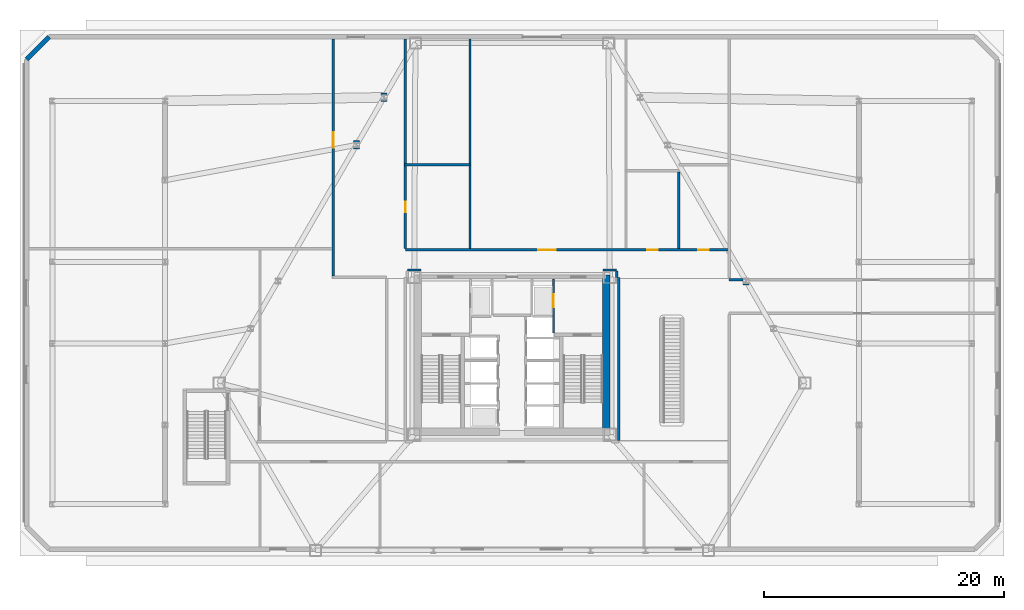
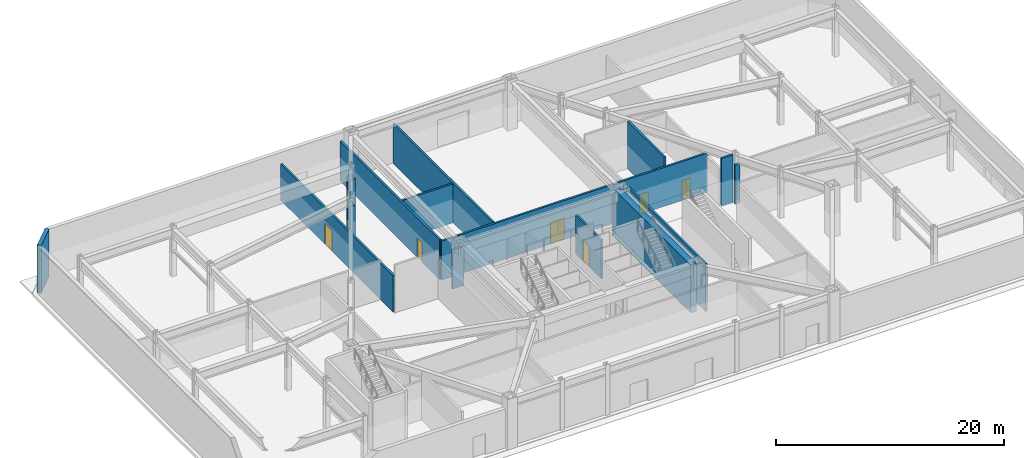
# One storey, part 6 of 12: 19 walls, 6 doors, 6 openings.
"""IFC4 building model written with IfcOpenShell, lengths in metres."""

from ifc_helpers import new_model, si_unit, direction, frame, frame_2d, origin, place, context, subcontext, project, spatial, rectangle, extrude, material, layer, layer_set, type_object, element, fill, save


model = new_model("IFC4")

# Units and contexts
model_context = context("Model", 3, precision=1e-05, world=origin(), true_north=direction((0.0, 1.0)))
body_context = subcontext(model_context, "Body", "Model", "MODEL_VIEW")
ifc_project = project(units=[si_unit("LENGTHUNIT", "METRE"), si_unit("AREAUNIT", "SQUARE_METRE"), si_unit("VOLUMEUNIT", "CUBIC_METRE"), si_unit("PLANEANGLEUNIT", "RADIAN"), si_unit("MASSUNIT", "GRAM", prefix="KILO")], contexts=[model_context])

# Site, building, storey
site_placement = place(None, origin())
site = spatial("IfcSite", under=ifc_project, at=site_placement, CompositionType="ELEMENT")
building_placement = place(site_placement, origin())
building = spatial("IfcBuilding", under=site, at=building_placement, Name="Oramaril Tower", CompositionType="ELEMENT")
storey_placement = place(building_placement, origin())
storey = spatial("IfcBuildingStorey", under=building, at=storey_placement, Name="L00", CompositionType="ELEMENT", Elevation=0.0)

# Walls
ifc_material_1 = material(Name="Warm Cream Limestone", Category="masonry")
ifc_layer_1 = layer(ifc_material_1, 0.3798828125)
ifc_layer_set_1 = layer_set([ifc_layer_1], Name="WT-EXT38")
wall_type_1 = type_object("IfcWallType", Name="WT-EXT38", PredefinedType="SOLIDWALL", material=ifc_layer_set_1)
wall_1_placement = place(storey_placement, frame((-2.949951171875, 42.272216796875, 0.0), z_axis=(0.0, 0.0, 1.0), x_axis=(0.707106781187, 0.707106781187, 0.0)))
element("IfcWall", 1, at=wall_1_placement, inside=storey, type_object=wall_type_1, Name="L00 Limestone Facade Wall EW-6M", PredefinedType="SOLIDWALL", context=body_context, shape_type="SweptSolid", body=[
    extrude(rectangle(XDim=2.655517578125, YDim=0.3798828125, at=frame_2d((1.32763671875, 0.0))), origin(), (0.0, 0.0, 1.0), 5.1201171875),
])
ifc_material_2 = material(Name="Autoclaved Cellular Concrete Block", Category="concrete")
ifc_layer_2 = layer(ifc_material_2, 0.199951171875)
ifc_layer_set_2 = layer_set([ifc_layer_2], Name="WT-PT20")
wall_type_2 = type_object("IfcWallType", Name="WT-PT20", PredefinedType="PARTITIONING", material=ifc_layer_set_2)
wall_2_placement = place(storey_placement, frame((56.749267578125, 23.550048828125, 0.0), z_axis=(0.0, 0.0, 1.0), x_axis=(1.0, 0.0, 0.0)))
element("IfcWall", 2, at=wall_2_placement, inside=storey, type_object=wall_type_2, Name="L00 Interior Partition PT-20", PredefinedType="PARTITIONING", context=body_context, shape_type="SweptSolid", body=[
    extrude(rectangle(XDim=0.5048828125, YDim=0.199951171875, at=frame_2d((0.25244140625, 0.0))), origin(), (0.0, 0.0, 1.0), 4.25390625),
])
wall_3_placement = place(storey_placement, frame((55.60009765625, 23.89990234375, 0.0), z_axis=(0.0, 0.0, 1.0), x_axis=(1.0, 0.0, 0.0)))
element("IfcWall", 3, at=wall_3_placement, inside=storey, type_object=wall_type_2, Name="L00 Interior Partition PT-20", PredefinedType="PARTITIONING", context=body_context, shape_type="SweptSolid", body=[
    extrude(rectangle(XDim=1.149169921875, YDim=0.199951171875, at=frame_2d((0.57470703125, 0.0))), origin(), (0.0, 0.0, 1.0), 5.1201171875),
])
for number, where, z_axis, x_axis, name in (
    (4, (28.780029296875, 24.719970703125, 0.0), (0.0, 0.0, 1.0), (1.0, 0.0, 0.0), "L00 Interior Partition PT-20"),
    (5, (45.080078125, 24.719970703125, 0.0), (0.0, 0.0, 1.0), (1.0, 0.0, 0.0), "L00 Interior Partition PT-20"),
):
    element("IfcWall", number, at=place(storey_placement, frame(where, z_axis=z_axis, x_axis=x_axis)), inside=storey, type_object=wall_type_2, Name=name, PredefinedType="PARTITIONING", context=body_context, shape_type="SweptSolid", body=[
        extrude(rectangle(XDim=1.139892578125, YDim=0.199951171875, at=frame_2d((0.56982421875, 0.0))), origin(), (0.0, 0.0, 1.0), 4.18310546875),
    ])

# Wall, openings, doors
wall_4_placement = place(storey_placement, frame((28.6201171875, 26.39990234375, 0.0), z_axis=(0.0, 0.0, 1.0), x_axis=(1.0, 0.0, 0.0)))
wall_4 = element("IfcWall", 6, at=wall_4_placement, inside=storey, type_object=wall_type_2, Name="L00 Interior Partition PT-20", PredefinedType="PARTITIONING", context=body_context, shape_type="SweptSolid", body=[
    extrude(rectangle(XDim=26.97998046875, YDim=0.199951171875, at=frame_2d((13.489990234375, 0.0))), origin(), (0.0, 0.0, 1.0), 4.18310546875),
])
opening_1_placement = place(wall_4_placement, frame((11.080078125, 0.0, 0.0)))
opening_1 = element("IfcOpeningElement", 7, at=opening_1_placement, cuts=wall_4, Name="Opening D-L00-06", PredefinedType="OPENING", context=body_context, shape_type="SweptSolid", body=[
    extrude(rectangle(XDim=1.449951171875, YDim=2.25, at=frame_2d((0.72509765625, 1.125))), frame((0.0, 0.10009765625, 0.0), z_axis=(0.0, -1.0, 0.0), x_axis=(1.0, 0.0, 0.0)), (0.0, 0.0, 1.0), 0.199951171875),
])
opening_2_placement = place(wall_4_placement, frame((20.139892578125, 0.0, 0.0)))
opening_2 = element("IfcOpeningElement", 8, at=opening_2_placement, cuts=wall_4, Name="Opening D-L00-07", PredefinedType="OPENING", context=body_context, shape_type="SweptSolid", body=[
    extrude(rectangle(XDim=0.8798828125, YDim=2.080078125, at=frame_2d((0.43994140625, 1.0400390625))), frame((0.0, 0.10009765625, 0.0), z_axis=(0.0, -1.0, 0.0), x_axis=(1.0, 0.0, 0.0)), (0.0, 0.0, 1.0), 0.199951171875),
])
opening_3_placement = place(wall_4_placement, frame((24.4140625, 0.0, 0.0)))
opening_3 = element("IfcOpeningElement", 9, at=opening_3_placement, cuts=wall_4, Name="Opening D-L00-08", PredefinedType="OPENING", context=body_context, shape_type="SweptSolid", body=[
    extrude(rectangle(XDim=0.8798828125, YDim=2.080078125, at=frame_2d((0.43994140625, 1.0400390625))), frame((0.0, 0.10009765625, 0.0), z_axis=(0.0, -1.0, 0.0), x_axis=(1.0, 0.0, 0.0)), (0.0, 0.0, 1.0), 0.199951171875),
])
ifc_material_3 = material(Name="FSC Brazilian Freijo Hardwood", Category="wood")
door_type_1 = type_object("IfcDoorType", Name="DT-BATH", OperationType="NOTDEFINED", PredefinedType="DOOR", material=ifc_material_3)
door_1_placement = place(opening_2_placement, origin())
door_1 = element("IfcDoor", 10, at=door_1_placement, inside=storey, type_object=door_type_1, Name="L00 L00 Ground Accessible WC Door D-L00-07", OperationType="SINGLE_SWING_RIGHT", OverallHeight=2.080078125, OverallWidth=0.8798828125, PredefinedType="DOOR", context=body_context, shape_type="SweptSolid", body=[
    extrude(rectangle(XDim=0.8798828125, YDim=2.080078125, at=frame_2d((0.43994140625, 1.0400390625))), frame((0.0, 0.02490234375, 0.0), z_axis=(0.0, -1.0, 0.0), x_axis=(1.0, 0.0, 0.0)), (0.0, 0.0, 1.0), 0.050048828125),
])
fill(opening_2, door_1)
door_2_placement = place(opening_3_placement, origin())
door_2 = element("IfcDoor", 11, at=door_2_placement, inside=storey, type_object=door_type_1, Name="L00 L00 Ground Female WC Door D-L00-08", OperationType="SINGLE_SWING_LEFT", OverallHeight=2.080078125, OverallWidth=0.8798828125, PredefinedType="DOOR", context=body_context, shape_type="SweptSolid", body=[
    extrude(rectangle(XDim=0.8798828125, YDim=2.080078125, at=frame_2d((0.43994140625, 1.0400390625))), frame((0.0, 0.02490234375, 0.0), z_axis=(0.0, -1.0, 0.0), x_axis=(1.0, 0.0, 0.0)), (0.0, 0.0, 1.0), 0.050048828125),
])
fill(opening_3, door_2)
ifc_material_4 = material(Name="Painted Galvanised Steel", Category="steel")
door_type_2 = type_object("IfcDoorType", Name="DT-PLT", OperationType="NOTDEFINED", PredefinedType="DOOR", material=ifc_material_4)
door_3_placement = place(opening_1_placement, origin())
door_3 = element("IfcDoor", 12, at=door_3_placement, inside=storey, type_object=door_type_2, Name="L00 L00 Covered Service Loading Bay Door D-L00-06", OperationType="SINGLE_SWING_LEFT", OverallHeight=2.25, OverallWidth=1.449951171875, PredefinedType="DOOR", context=body_context, shape_type="SweptSolid", body=[
    extrude(rectangle(XDim=1.449951171875, YDim=2.25, at=frame_2d((0.72509765625, 1.125))), frame((0.0, 0.02490234375, 0.0), z_axis=(0.0, -1.0, 0.0), x_axis=(1.0, 0.0, 0.0)), (0.0, 0.0, 1.0), 0.050048828125),
])
fill(opening_1, door_3)

# Walls
wall_5_placement = place(storey_placement, frame((28.56005859375, 33.5, 0.0), z_axis=(0.0, 0.0, 1.0), x_axis=(1.0, 0.0, 0.0)))
element("IfcWall", 13, at=wall_5_placement, inside=storey, type_object=wall_type_2, Name="L00 Interior Partition PT-20", PredefinedType="PARTITIONING", context=body_context, shape_type="SweptSolid", body=[
    extrude(rectangle(XDim=5.43994140625, YDim=0.199951171875, at=frame_2d((2.719970703125, 0.0))), origin(), (0.0, 0.0, 1.0), 4.18310546875),
])
for number, where, z_axis, x_axis, name in (
    (14, (24.290771484375, 34.889892578125, 0.0), (0.0, 0.0, 1.0), (1.0, 0.0, 0.0), "L00 Interior Partition PT-20"),
    (15, (24.290771484375, 35.389892578125, 0.0), (0.0, 0.0, 1.0), (1.0, 0.0, 0.0), "L00 Interior Partition PT-20"),
):
    element("IfcWall", number, at=place(storey_placement, frame(where, z_axis=z_axis, x_axis=x_axis)), inside=storey, type_object=wall_type_2, Name=name, PredefinedType="PARTITIONING", context=body_context, shape_type="SweptSolid", body=[
        extrude(rectangle(XDim=0.5048828125, YDim=0.199951171875, at=frame_2d((0.25244140625, 0.0))), origin(), (0.0, 0.0, 1.0), 4.25390625),
    ])
for number, where, z_axis, x_axis, name in (
    (16, (26.581298828125, 38.85009765625, 0.0), (0.0, 0.0, 1.0), (1.0, 0.0, 0.0), "L00 Interior Partition PT-20"),
    (17, (26.581298828125, 39.360107421875, 0.0), (0.0, 0.0, 1.0), (1.0, 0.0, 0.0), "L00 Interior Partition PT-20"),
):
    element("IfcWall", number, at=place(storey_placement, frame(where, z_axis=z_axis, x_axis=x_axis)), inside=storey, type_object=wall_type_2, Name=name, PredefinedType="PARTITIONING", context=body_context, shape_type="SweptSolid", body=[
        extrude(rectangle(XDim=0.505126953125, YDim=0.199951171875, at=frame_2d((0.25244140625, 0.0))), origin(), (0.0, 0.0, 1.0), 3.909912109375),
    ])

# Wall, opening, door
wall_6_placement = place(storey_placement, frame((22.60009765625, 24.2041015625, 0.0), z_axis=(0.0, 0.0, 1.0), x_axis=(0.0, 1.0, 0.0)))
wall_6 = element("IfcWall", 18, at=wall_6_placement, inside=storey, type_object=wall_type_2, Name="L00 Interior Partition PT-20", PredefinedType="PARTITIONING", context=body_context, shape_type="SweptSolid", body=[
    extrude(rectangle(XDim=19.751953125, YDim=0.199951171875, at=frame_2d((9.8759765625, 0.0))), origin(), (0.0, 0.0, 1.0), 3.909912109375),
])
opening_4_placement = place(wall_6_placement, frame((10.7119140625, 0.0, 0.0)))
opening_4 = element("IfcOpeningElement", 19, at=opening_4_placement, cuts=wall_6, Name="Opening D-L00-10", PredefinedType="OPENING", context=body_context, shape_type="SweptSolid", body=[
    extrude(rectangle(XDim=1.300048828125, YDim=2.199951171875, at=frame_2d((0.64990234375, 1.10009765625))), frame((0.0, 0.10009765625, 0.0), z_axis=(0.0, -1.0, 0.0), x_axis=(1.0, 0.0, 0.0)), (0.0, 0.0, 1.0), 0.199951171875),
])
ifc_material_5 = material(Name="FSC Brazilian Freijo Hardwood", Category="wood")
door_type_3 = type_object("IfcDoorType", Name="DT-COM", OperationType="NOTDEFINED", PredefinedType="DOOR", material=ifc_material_5)
door_4_placement = place(opening_4_placement, origin())
door_4 = element("IfcDoor", 20, at=door_4_placement, inside=storey, type_object=door_type_3, Name="L00 L00 Concierge Mail and Parcel Room Door D-L00-10", OperationType="SINGLE_SWING_LEFT", OverallHeight=2.199951171875, OverallWidth=1.300048828125, PredefinedType="DOOR", context=body_context, shape_type="SweptSolid", body=[
    extrude(rectangle(XDim=1.300048828125, YDim=2.199951171875, at=frame_2d((0.64990234375, 1.10009765625))), frame((0.0, 0.02490234375, 0.0), z_axis=(0.0, -1.0, 0.0), x_axis=(1.0, 0.0, 0.0)), (0.0, 0.0, 1.0), 0.050048828125),
])
fill(opening_4, door_4)

wall_7_placement = place(storey_placement, frame((28.6201171875, 26.50390625, 0.0), z_axis=(0.0, 0.0, 1.0), x_axis=(0.0, 1.0, 0.0)))
wall_7 = element("IfcWall", 21, at=wall_7_placement, inside=storey, type_object=wall_type_2, Name="L00 Interior Partition PT-20", PredefinedType="PARTITIONING", context=body_context, shape_type="SweptSolid", body=[
    extrude(rectangle(XDim=17.4521484375, YDim=0.199951171875, at=frame_2d((8.72607421875, 0.0))), origin(), (0.0, 0.0, 1.0), 4.25390625),
])
opening_5_placement = place(wall_7_placement, frame((3.031982421875, 0.0, 0.0)))
opening_5 = element("IfcOpeningElement", 22, at=opening_5_placement, cuts=wall_7, Name="Opening D-L00-11", PredefinedType="OPENING", context=body_context, shape_type="SweptSolid", body=[
    extrude(rectangle(XDim=0.8798828125, YDim=2.080078125, at=frame_2d((0.43994140625, 1.0400390625))), frame((0.0, 0.10009765625, 0.0), z_axis=(0.0, -1.0, 0.0), x_axis=(1.0, 0.0, 0.0)), (0.0, 0.0, 1.0), 0.199951171875),
])
door_5_placement = place(opening_5_placement, origin())
door_5 = element("IfcDoor", 23, at=door_5_placement, inside=storey, type_object=door_type_1, Name="L00 L00 Ground Male WC Door D-L00-11", OperationType="SINGLE_SWING_RIGHT", OverallHeight=2.080078125, OverallWidth=0.8798828125, PredefinedType="DOOR", context=body_context, shape_type="SweptSolid", body=[
    extrude(rectangle(XDim=0.8798828125, YDim=2.080078125, at=frame_2d((0.43994140625, 1.0400390625))), frame((0.0, 0.02490234375, 0.0), z_axis=(0.0, -1.0, 0.0), x_axis=(1.0, 0.0, 0.0)), (0.0, 0.0, 1.0), 0.050048828125),
])
fill(opening_5, door_5)

# Walls
wall_8_placement = place(storey_placement, frame((34.0, 26.50390625, 0.0), z_axis=(0.0, 0.0, 1.0), x_axis=(0.0, 1.0, 0.0)))
element("IfcWall", 24, at=wall_8_placement, inside=storey, type_object=wall_type_2, Name="L00 Interior Partition PT-20", PredefinedType="PARTITIONING", context=body_context, shape_type="SweptSolid", body=[
    extrude(rectangle(XDim=17.4521484375, YDim=0.199951171875, at=frame_2d((8.72607421875, 0.0))), origin(), (0.0, 0.0, 1.0), 4.25390625),
])
wall_9_placement = place(storey_placement, frame((46.219970703125, 24.10009765625, 0.0), z_axis=(0.0, 0.0, 1.0), x_axis=(0.0, 1.0, 0.0)))
element("IfcWall", 25, at=wall_9_placement, inside=storey, type_object=wall_type_2, Name="L00 Interior Partition PT-20", PredefinedType="PARTITIONING", context=body_context, shape_type="SweptSolid", body=[
    extrude(rectangle(XDim=0.515869140625, YDim=0.199951171875, at=frame_2d((0.2578125, 0.0))), origin(), (0.0, 0.0, 1.0), 5.1201171875),
])
wall_10_placement = place(storey_placement, frame((46.3798828125, 10.50390625, 0.0), z_axis=(0.0, 0.0, 1.0), x_axis=(0.0, 1.0, 0.0)))
element("IfcWall", 26, at=wall_10_placement, inside=storey, type_object=wall_type_2, Name="L00 Interior Partition PT-20", PredefinedType="PARTITIONING", context=body_context, shape_type="SweptSolid", body=[
    extrude(rectangle(XDim=13.59619140625, YDim=0.199951171875, at=frame_2d((6.798095703125, 0.0))), origin(), (0.0, 0.0, 1.0), 5.1201171875),
])
wall_11_placement = place(storey_placement, frame((51.39990234375, 26.50390625, 0.0), z_axis=(0.0, 0.0, 1.0), x_axis=(0.0, 1.0, 0.0)))
element("IfcWall", 27, at=wall_11_placement, inside=storey, type_object=wall_type_2, Name="L00 Interior Partition PT-20", PredefinedType="PARTITIONING", context=body_context, shape_type="SweptSolid", body=[
    extrude(rectangle(XDim=6.39208984375, YDim=0.199951171875, at=frame_2d((3.196044921875, 0.0))), origin(), (0.0, 0.0, 1.0), 5.1201171875),
])
ifc_material_6 = material(Name="Concrete C50/60", Category="concrete")
ifc_layer_3 = layer(ifc_material_6, 0.60009765625)
ifc_layer_set_3 = layer_set([ifc_layer_3], Name="WT-SH60")
wall_type_3 = type_object("IfcWallType", Name="WT-SH60", PredefinedType="SHEAR", material=ifc_layer_set_3)
wall_12_placement = place(storey_placement, frame((45.360107421875, 11.0, 0.0), z_axis=(0.0, 0.0, 1.0), x_axis=(0.0, 1.0, 0.0)))
element("IfcWall", 28, at=wall_12_placement, inside=storey, type_object=wall_type_3, Name="L00 Core Shear Wall CW-E", PredefinedType="SHEAR", context=body_context, shape_type="SweptSolid", body=[
    extrude(rectangle(XDim=13.300048828125, YDim=0.60009765625, at=frame_2d((6.64990234375, 0.0))), origin(), (0.0, 0.0, 1.0), 5.1201171875),
])

# Wall, opening, door
ifc_material_7 = material(Name="Autoclaved Cellular Concrete Block", Category="concrete")
ifc_layer_4 = layer(ifc_material_7, 0.199951171875)
ifc_layer_set_4 = layer_set([ifc_layer_4], Name="WT-SHF20")
wall_type_4 = type_object("IfcWallType", Name="WT-SHF20", PredefinedType="PARTITIONING", material=ifc_layer_set_4)
wall_13_placement = place(storey_placement, frame((40.9599609375, 19.47998046875, 0.0), z_axis=(0.0, 0.0, 1.0), x_axis=(0.0, 1.0, 0.0)))
wall_13 = element("IfcWall", 29, at=wall_13_placement, inside=storey, type_object=wall_type_4, Name="L00 FL-2 Lobby Shaft Wall", PredefinedType="PARTITIONING", context=body_context, shape_type="SweptSolid", body=[
    extrude(rectangle(XDim=4.5, YDim=0.199951171875, at=frame_2d((2.25, 0.0))), origin(), (0.0, 0.0, 1.0), 4.159912109375),
])
opening_6_placement = place(wall_13_placement, frame((2.1201171875, 0.0, 0.0)))
opening_6 = element("IfcOpeningElement", 30, at=opening_6_placement, cuts=wall_13, Name="Opening LD-L00-FL-2", PredefinedType="OPENING", context=body_context, shape_type="SweptSolid", body=[
    extrude(rectangle(XDim=1.10009765625, YDim=2.199951171875, at=frame_2d((0.550048828125, 1.10009765625))), frame((0.0, 0.10009765625, 0.0), z_axis=(0.0, -1.0, 0.0), x_axis=(1.0, 0.0, 0.0)), (0.0, 0.0, 1.0), 0.199951171875),
])
ifc_material_8 = material(Name="Stainless Steel 316L", Category="steel")
door_type_4 = type_object("IfcDoorType", Name="DT-LD1", OperationType="NOTDEFINED", PredefinedType="DOOR", material=ifc_material_8)
door_6_placement = place(opening_6_placement, origin())
door_6 = element("IfcDoor", 31, at=door_6_placement, inside=storey, type_object=door_type_4, Name="L00 Lift FL-2 Sliding Landing Door", OperationType="SLIDING_TO_RIGHT", OverallHeight=2.199951171875, OverallWidth=1.10009765625, PredefinedType="DOOR", context=body_context, shape_type="SweptSolid", body=[
    extrude(rectangle(XDim=1.10009765625, YDim=2.199951171875, at=frame_2d((0.550048828125, 1.10009765625))), frame((0.0, 0.02490234375, 0.0), z_axis=(0.0, -1.0, 0.0), x_axis=(1.0, 0.0, 0.0)), (0.0, 0.0, 1.0), 0.050048828125),
])
fill(opening_6, door_6)

save(model, "model.ifc")
